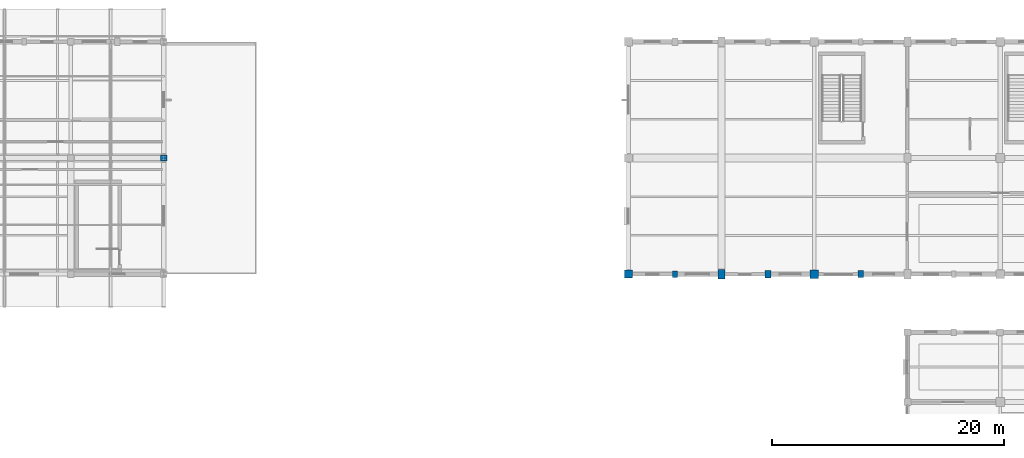
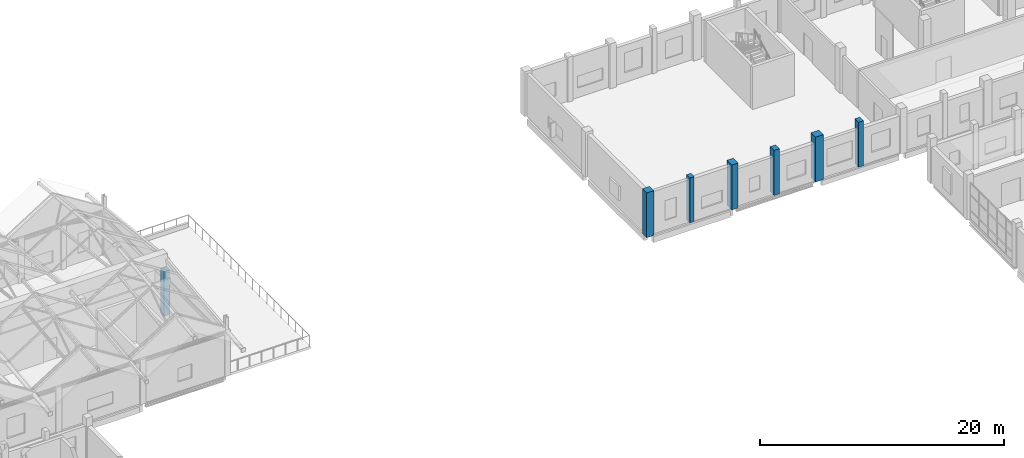
# One storey, part 7 of 183: 7 columns.
"""IFC4 building model written with IfcOpenShell, lengths in metres."""

from ifc_helpers import new_model, si_unit, direction, frame, origin, origin_2d, place, context, subcontext, project, spatial, rectangle, extrude, material, material_profile, profile_set, type_object, element, save


model = new_model("IFC4")

# Units and contexts
model_context = context("Model", 3, precision=1e-05, world=origin(), true_north=direction((0.0, 1.0)))
body_context = subcontext(model_context, "Body", "Model", "MODEL_VIEW")
ifc_project = project(units=[si_unit("LENGTHUNIT", "METRE"), si_unit("AREAUNIT", "SQUARE_METRE"), si_unit("VOLUMEUNIT", "CUBIC_METRE"), si_unit("PLANEANGLEUNIT", "RADIAN"), si_unit("MASSUNIT", "GRAM", prefix="KILO")], contexts=[model_context])

# Site, building, storey
site_placement = place(None, origin())
site = spatial("IfcSite", under=ifc_project, at=site_placement, CompositionType="ELEMENT")
building_placement = place(site_placement, origin())
building = spatial("IfcBuilding", under=site, at=building_placement, Name="Luwemba Playhouse", CompositionType="ELEMENT")
storey_placement = place(building_placement, frame((0.0, 0.0, 4.800048828125)))
storey = spatial("IfcBuildingStorey", under=building, at=storey_placement, Name="L01", CompositionType="ELEMENT", Elevation=4.800048828125)

# Columns
ifc_material = material(Name="Concrete C40/50", Category="concrete")
ifc_material_profile_1 = material_profile(ifc_material, rectangle(XDim=0.550048828125, YDim=0.550048828125, at=origin_2d()))
ifc_profile_set_1 = profile_set([ifc_material_profile_1], Name="Concrete C40/50")
column_type_1 = type_object("IfcColumnType", Name="COL-C03", PredefinedType="COLUMN", material=ifc_profile_set_1)
column_1_placement = place(storey_placement, frame((68.0, 105.0, 0.0), z_axis=(0.0, 0.0, 1.0), x_axis=(1.0, 0.0, 0.0)))
element("IfcColumn", 1, at=column_1_placement, inside=storey, type_object=column_type_1, Name="L01 column 139", PredefinedType="COLUMN", context=body_context, shape_type="SweptSolid", body=[
    extrude(rectangle(XDim=0.550048828125, YDim=0.550048828125, at=origin_2d()), origin(), (0.0, 0.0, 1.0), 4.5),
])
ifc_material_profile_2 = material_profile(ifc_material, rectangle(XDim=0.699951171875, YDim=0.699951171875, at=origin_2d()))
ifc_profile_set_2 = profile_set([ifc_material_profile_2], Name="Concrete C40/50")
column_type_2 = type_object("IfcColumnType", Name="COL-C06", PredefinedType="COLUMN", material=ifc_profile_set_2)
column_2_placement = place(storey_placement, frame((108.0, 95.0, 0.0), z_axis=(0.0, 0.0, 1.0), x_axis=(1.0, 0.0, 0.0)))
element("IfcColumn", 2, at=column_2_placement, inside=storey, type_object=column_type_2, Name="L01 column 145", PredefinedType="COLUMN", context=body_context, shape_type="SweptSolid", body=[
    extrude(rectangle(XDim=0.699951171875, YDim=0.699951171875, at=origin_2d()), origin(), (0.0, 0.0, 1.0), 4.5),
])
ifc_material_profile_3 = material_profile(ifc_material, rectangle(XDim=0.75, YDim=0.75, at=origin_2d()))
ifc_profile_set_3 = profile_set([ifc_material_profile_3], Name="Concrete C40/50")
column_type_3 = type_object("IfcColumnType", Name="COL-C07", PredefinedType="COLUMN", material=ifc_profile_set_3)
column_3_placement = place(storey_placement, frame((124.0, 95.0, 0.0), z_axis=(0.0, 0.0, 1.0), x_axis=(1.0, 0.0, 0.0)))
element("IfcColumn", 3, at=column_3_placement, inside=storey, type_object=column_type_3, Name="L01 column 165", PredefinedType="COLUMN", context=body_context, shape_type="SweptSolid", body=[
    extrude(rectangle(XDim=0.75, YDim=0.75, at=origin_2d()), origin(), (0.0, 0.0, 1.0), 4.5),
])
ifc_material_profile_4 = material_profile(ifc_material, rectangle(XDim=0.60009765625, YDim=0.800048828125, at=origin_2d()))
ifc_profile_set_4 = profile_set([ifc_material_profile_4], Name="Concrete C40/50")
column_type_4 = type_object("IfcColumnType", Name="COL-C12", PredefinedType="COLUMN", material=ifc_profile_set_4)
column_4_placement = place(storey_placement, frame((116.0, 95.0, 0.0), z_axis=(0.0, 0.0, 1.0), x_axis=(1.0, 0.0, 0.0)))
element("IfcColumn", 4, at=column_4_placement, inside=storey, type_object=column_type_4, Name="L01 column 154", PredefinedType="COLUMN", context=body_context, shape_type="SweptSolid", body=[
    extrude(rectangle(XDim=0.60009765625, YDim=0.800048828125, at=origin_2d()), origin(), (0.0, 0.0, 1.0), 4.5),
])
ifc_material_profile_5 = material_profile(ifc_material, rectangle(XDim=0.39990234375, YDim=0.550048828125, at=origin_2d()))
ifc_profile_set_5 = profile_set([ifc_material_profile_5], Name="Concrete C40/50")
column_type_5 = type_object("IfcColumnType", Name="COL-PIL1", PredefinedType="PILASTER", material=ifc_profile_set_5)
column_5_placement = place(storey_placement, frame((112.0, 95.0, 0.0), z_axis=(0.0, 0.0, 1.0), x_axis=(1.0, 0.0, 0.0)))
element("IfcColumn", 5, at=column_5_placement, inside=storey, type_object=column_type_5, Name="L01 column 148", PredefinedType="PILASTER", context=body_context, shape_type="SweptSolid", body=[
    extrude(rectangle(XDim=0.39990234375, YDim=0.550048828125, at=origin_2d()), origin(), (0.0, 0.0, 1.0), 4.5),
])
ifc_material_profile_6 = material_profile(ifc_material, rectangle(XDim=0.449951171875, YDim=0.60009765625, at=origin_2d()))
ifc_profile_set_6 = profile_set([ifc_material_profile_6], Name="Concrete C40/50")
column_type_6 = type_object("IfcColumnType", Name="COL-PIL2", PredefinedType="PILASTER", material=ifc_profile_set_6)
column_6_placement = place(storey_placement, frame((128.0, 95.0, 0.0), z_axis=(0.0, 0.0, 1.0), x_axis=(1.0, 0.0, 0.0)))
element("IfcColumn", 6, at=column_6_placement, inside=storey, type_object=column_type_6, Name="L01 column 170", PredefinedType="PILASTER", context=body_context, shape_type="SweptSolid", body=[
    extrude(rectangle(XDim=0.449951171875, YDim=0.60009765625, at=origin_2d()), origin(), (0.0, 0.0, 1.0), 4.5),
])
ifc_material_profile_7 = material_profile(ifc_material, rectangle(XDim=0.5, YDim=0.64990234375, at=origin_2d()))
ifc_profile_set_7 = profile_set([ifc_material_profile_7], Name="Concrete C40/50")
column_type_7 = type_object("IfcColumnType", Name="COL-PIL3", PredefinedType="PILASTER", material=ifc_profile_set_7)
column_7_placement = place(storey_placement, frame((120.0, 95.0, 0.0), z_axis=(0.0, 0.0, 1.0), x_axis=(1.0, 0.0, 0.0)))
element("IfcColumn", 7, at=column_7_placement, inside=storey, type_object=column_type_7, Name="L01 column 159", PredefinedType="PILASTER", context=body_context, shape_type="SweptSolid", body=[
    extrude(rectangle(XDim=0.5, YDim=0.64990234375, at=origin_2d()), origin(), (0.0, 0.0, 1.0), 4.5),
])

save(model, "model.ifc")
